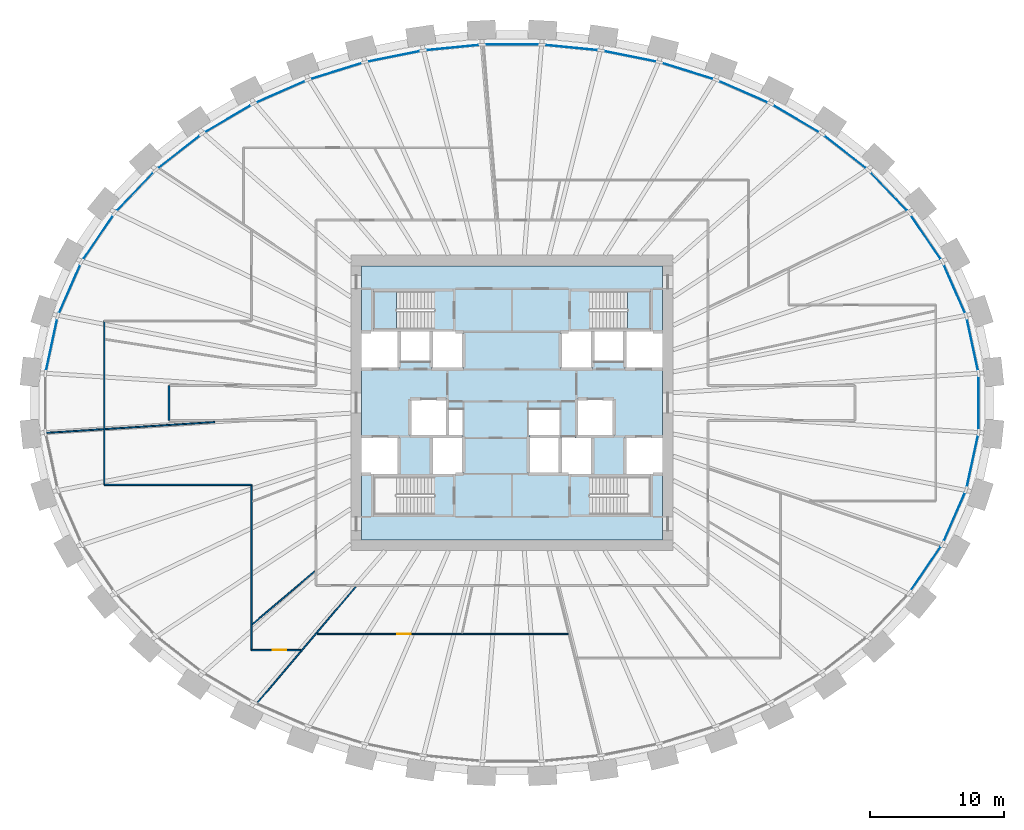
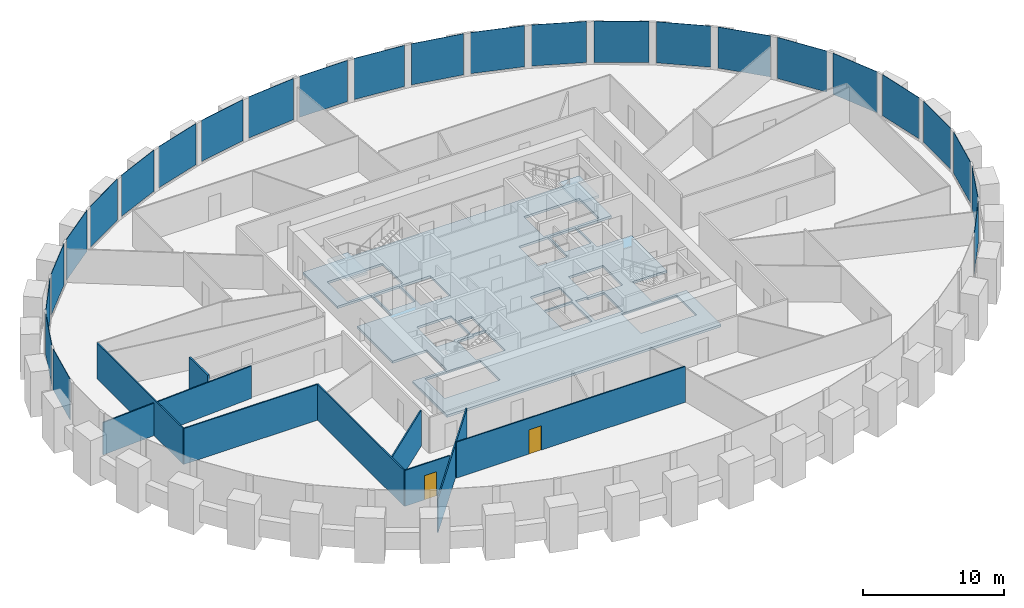
# One storey, part 5 of 11: 25 plates, 9 walls, 3 slabs, 2 doors, 2 openings, 3 elements without a shape of their own.
"""IFC4 building model written with IfcOpenShell, lengths in metres."""

import ifcopenshell
import ifcopenshell.guid

model = None  # the IFC model being written
_history = None  # IfcOwnerHistory: only IFC2X3 demands one
_inside = {}  # id of a spatial element -> (the spatial element, [elements in it])
_under = {}  # id of a project, library or spatial element -> (it, [spatial elements below it])
_declared = {}  # id of a project -> (the project, [libraries it declares])
_typed = {}  # id of a type object -> (the type object, [elements of that type])
_made_of = {}  # id of a material, layer set ... -> (it, [elements and type objects made of it])


def new_model(schema):
    """Start an empty IFC model of exactly this schema.

    Asked for "IFC4X3", IfcOpenShell would pick the latest addendum, in which some entities
    have other attributes; the version numbers below select the first issue.
    IFC2X3 requires an IfcOwnerHistory on every rooted entity: one is made here for all.
    """
    global model, _history
    if schema == "IFC4X3":
        model = ifcopenshell.file(schema_version=(4, 3, 0, 0))
    else:
        model = ifcopenshell.file(schema=schema)
    _inside.clear()
    _under.clear()
    _declared.clear()
    _typed.clear()
    _made_of.clear()
    _history = None
    if model.schema == "IFC2X3":
        org = make("IfcOrganization", Name="unknown")
        user = make(
            "IfcPersonAndOrganization",
            ThePerson=make("IfcPerson", FamilyName="unknown"),
            TheOrganization=org,
        )
        app = make(
            "IfcApplication",
            ApplicationDeveloper=org,
            Version="unknown",
            ApplicationFullName="unknown",
            ApplicationIdentifier="unknown",
        )
        _history = make(
            "IfcOwnerHistory",
            OwningUser=user,
            OwningApplication=app,
            ChangeAction="ADDED",
            CreationDate=0,
        )
    return model


def make(cls, **values):
    """One entity of the class cls with the attributes given. An attribute that is None is left unset."""
    return model.create_entity(
        cls, **{name: value for name, value in values.items() if value is not None}
    )


def rooted(cls, **values):
    """An entity with a GlobalId (a new one), such as an element, a storey or a relation."""
    return make(cls, GlobalId=ifcopenshell.guid.new(), OwnerHistory=_history, **values)


def si_unit(unit_type, name, prefix=None):
    """IfcSIUnit, for example si_unit("LENGTHUNIT", "METRE", prefix="MILLI")."""
    return make("IfcSIUnit", UnitType=unit_type, Prefix=prefix, Name=name)


def assignment(units):
    """IfcUnitAssignment: the units of a project."""
    return None if units is None else make("IfcUnitAssignment", Units=units)


def point(xyz):
    """IfcCartesianPoint."""
    return None if xyz is None else make("IfcCartesianPoint", Coordinates=xyz)


def direction(xyz):
    """IfcDirection."""
    return None if xyz is None else make("IfcDirection", DirectionRatios=xyz)


def frame(location, z_axis=None, x_axis=None):
    """IfcAxis2Placement3D, a coordinate frame: its origin and axes. An axis left out is left unset."""
    return make(
        "IfcAxis2Placement3D",
        Location=point(location),
        Axis=direction(z_axis),
        RefDirection=direction(x_axis),
    )


def frame_2d(location, x_axis=None):
    """IfcAxis2Placement2D, a coordinate frame in the plane: its origin and x axis."""
    return make(
        "IfcAxis2Placement2D", Location=point(location), RefDirection=direction(x_axis)
    )


def origin():
    """The frame at (0, 0, 0) with its axes left unset."""
    return frame((0.0, 0.0, 0.0))


def origin_2d():
    """The frame at (0, 0) in the plane with its x axis left unset."""
    return frame_2d((0.0, 0.0))


def place(relative_to, where):
    """IfcLocalPlacement: puts the frame where relative to a parent placement (None: the world)."""
    return make(
        "IfcLocalPlacement", PlacementRelTo=relative_to, RelativePlacement=where
    )


def context(
    kind, dimensions, precision=None, world=None, true_north=None, identifier=None
):
    """IfcGeometricRepresentationContext, for example the 3D "Model" context."""
    return make(
        "IfcGeometricRepresentationContext",
        ContextIdentifier=identifier,
        ContextType=kind,
        CoordinateSpaceDimension=dimensions,
        Precision=precision,
        WorldCoordinateSystem=world,
        TrueNorth=true_north,
    )


def subcontext(parent, identifier, kind, view, scale=None):
    """IfcGeometricRepresentationSubContext, for example "Body" below "Model"."""
    return make(
        "IfcGeometricRepresentationSubContext",
        ContextIdentifier=identifier,
        ContextType=kind,
        ParentContext=parent,
        TargetScale=scale,
        TargetView=view,
    )


def project(units=None, contexts=None):
    """IfcProject with its units and contexts."""
    return rooted(
        "IfcProject",
        Name="project",
        RepresentationContexts=contexts,
        UnitsInContext=assignment(units),
    )


def spatial(cls, under=None, at=None, **own):
    """A site, building, storey or space (cls), placed at a placement, below another one or the project."""
    s = rooted(cls, ObjectPlacement=at, **own)
    if under is not None:
        _under.setdefault(under.id(), (under, []))[1].append(s)
    return s


def polyline(points):
    """IfcPolyline through the points."""
    return make("IfcPolyline", Points=[point(p) for p in points])


def profile(cls, at=None, kind="AREA", **sizes):
    """A parametric profile (cls). Its sizes go by their IFC names, for example OverallWidth=200.0."""
    return make(cls, ProfileType=kind, Position=at, **sizes)


def rectangle(**sizes):
    """IfcRectangleProfileDef."""
    return profile("IfcRectangleProfileDef", **sizes)


def outline(outer, holes=None, kind="AREA"):
    """IfcArbitraryClosedProfileDef: a profile drawn as a closed curve; with holes, ...WithVoids."""
    if holes is None:
        return make("IfcArbitraryClosedProfileDef", ProfileType=kind, OuterCurve=outer)
    return make(
        "IfcArbitraryProfileDefWithVoids",
        ProfileType=kind,
        OuterCurve=outer,
        InnerCurves=holes,
    )


def extrude(swept, where, along, depth):
    """IfcExtrudedAreaSolid: the profile swept, set in the frame where, extruded along a direction by depth."""
    return make(
        "IfcExtrudedAreaSolid",
        SweptArea=swept,
        Position=where,
        ExtrudedDirection=direction(along),
        Depth=depth,
    )


def shape(context_of_items, identifier, shape_type, items):
    """IfcShapeRepresentation: the items that make up one representation, for example the "Body"."""
    return make(
        "IfcShapeRepresentation",
        ContextOfItems=context_of_items,
        RepresentationIdentifier=identifier,
        RepresentationType=shape_type,
        Items=items,
    )


def source(mapping_origin, context_of_items, identifier, shape_type, items):
    """IfcRepresentationMap: a shape defined once, which mapped items show again and again."""
    return make(
        "IfcRepresentationMap",
        MappingOrigin=mapping_origin,
        MappedRepresentation=shape(context_of_items, identifier, shape_type, items),
    )


def transform(
    local_origin,
    x_axis=None,
    y_axis=None,
    z_axis=None,
    scale=None,
    scale2=None,
    scale3=None,
    uniform=True,
):
    """IfcCartesianTransformationOperator3D, or its non-uniform kind. x_axis, y_axis, z_axis: its Axis1, 2, 3."""
    if uniform:
        return make(
            "IfcCartesianTransformationOperator3D",
            Axis1=direction(x_axis),
            Axis2=direction(y_axis),
            LocalOrigin=point(local_origin),
            Scale=scale,
            Axis3=direction(z_axis),
        )
    return make(
        "IfcCartesianTransformationOperator3DnonUniform",
        Axis1=direction(x_axis),
        Axis2=direction(y_axis),
        LocalOrigin=point(local_origin),
        Scale=scale,
        Axis3=direction(z_axis),
        Scale2=scale2,
        Scale3=scale3,
    )


def mapped(mapping_source, mapping_target):
    """IfcMappedItem: shows the shape of a source again, moved by a transform."""
    return make(
        "IfcMappedItem", MappingSource=mapping_source, MappingTarget=mapping_target
    )


def material(Name=None, Category=None):
    """IfcMaterial."""
    return make("IfcMaterial", Name=Name, Category=Category)


def layer(
    of_material, thickness, ventilated=None, Name=None, Category=None, Priority=None
):
    """IfcMaterialLayer: one layer of a wall or slab, of a material (None: an air gap)."""
    return make(
        "IfcMaterialLayer",
        Material=of_material,
        LayerThickness=thickness,
        IsVentilated=ventilated,
        Name=Name,
        Category=Category,
        Priority=Priority,
    )


def layer_set(layers, Name=None):
    """IfcMaterialLayerSet."""
    return make("IfcMaterialLayerSet", MaterialLayers=layers, LayerSetName=Name)


def made_of(thing, what):
    """Note that an element or type object is made of a material, layer set ...; save() writes the relation."""
    if what is not None:
        _made_of.setdefault(what.id(), (what, []))[1].append(thing)
    return thing


def type_object(cls, material=None, **own):
    """A type object (cls), such as IfcWallType, which elements share."""
    return made_of(rooted(cls, **own), material)


def element(
    cls,
    number,
    at=None,
    inside=None,
    cuts=None,
    type_object=None,
    material=None,
    context=None,
    identifier="Body",
    shape_type=None,
    held_by="IfcProductDefinitionShape",
    body=None,
    shapes=None,
    **own,
):
    """One element of the class cls, such as IfcWall. Its Tag is "e" and its number.

    at: its placement. inside: the storey or other place that contains it. cuts: it is an
    opening in that element (IfcRelVoidsElement). A single representation is given by context,
    identifier, shape_type and body (its items); several are given by shapes. held_by: the class
    of the entity that holds the representations. save() writes the other relations.
    """
    e = rooted(cls, Tag="e%d" % number, ObjectPlacement=at, **own)
    if body is not None:
        shapes = [shape(context, identifier, shape_type, body)]
    if shapes is not None:
        e.Representation = make(held_by, Representations=shapes)
    if inside is not None:
        _inside.setdefault(inside.id(), (inside, []))[1].append(e)
    if cuts is not None:
        rooted(
            "IfcRelVoidsElement", RelatingBuildingElement=cuts, RelatedOpeningElement=e
        )
    if type_object is not None:
        _typed.setdefault(type_object.id(), (type_object, []))[1].append(e)
    return made_of(e, material)


def fill(opening, filler):
    """IfcRelFillsElement: the door or window that sits in an opening."""
    return rooted(
        "IfcRelFillsElement",
        RelatingOpeningElement=opening,
        RelatedBuildingElement=filler,
    )


def aggregate(whole, parts):
    """IfcRelAggregates: a whole, such as a stair, and the parts it consists of."""
    return rooted("IfcRelAggregates", RelatingObject=whole, RelatedObjects=parts)


def save(model, path):
    """Write the relations noted so far, then the file.

    IfcRelAggregates (storeys below a building ...), IfcRelContainedInSpatialStructure (elements
    in a storey), IfcRelDefinesByType, IfcRelAssociatesMaterial and IfcRelDeclares: one each for
    every whole, place, type object, material and project.
    """
    for whole, parts in _under.values():
        aggregate(whole, parts)
    for where, things in _inside.values():
        rooted(
            "IfcRelContainedInSpatialStructure",
            RelatedElements=things,
            RelatingStructure=where,
        )
    for kind, things in _typed.values():
        rooted("IfcRelDefinesByType", RelatedObjects=things, RelatingType=kind)
    for what, things in _made_of.values():
        rooted("IfcRelAssociatesMaterial", RelatedObjects=things, RelatingMaterial=what)
    for by, libraries in _declared.values():
        rooted("IfcRelDeclares", RelatingContext=by, RelatedDefinitions=libraries)
    model.write(path)


model = new_model("IFC4")

# Units and contexts
model_context = context("Model", 3, precision=1e-05, world=origin(), true_north=direction((0.0, 1.0)))
body_context = subcontext(model_context, "Body", "Model", "MODEL_VIEW")
ifc_project = project(units=[si_unit("LENGTHUNIT", "METRE"), si_unit("AREAUNIT", "SQUARE_METRE"), si_unit("VOLUMEUNIT", "CUBIC_METRE"), si_unit("PLANEANGLEUNIT", "RADIAN"), si_unit("MASSUNIT", "GRAM", prefix="KILO")], contexts=[model_context])

# Site, building, storey
site_placement = place(None, origin())
site = spatial("IfcSite", under=ifc_project, at=site_placement, CompositionType="ELEMENT")
building_placement = place(site_placement, origin())
building = spatial("IfcBuilding", under=site, at=building_placement, Name="Embergate Tower", CompositionType="ELEMENT")
storey_placement = place(building_placement, frame((0.0, 0.0, 203.39990234375)))
storey = spatial("IfcBuildingStorey", under=building, at=storey_placement, Name="L46", CompositionType="ELEMENT", Elevation=203.39990234375)

# Curtain wall, plates
ifc_material_1 = material(Name="Aluminium and glass", Category="aluminium")
curtain_wall_type = type_object("IfcCurtainWallType", Name="Recessed office glazing", PredefinedType="NOTDEFINED", material=ifc_material_1)
curtain_wall_placement = place(storey_placement, origin())
curtain_wall = element("IfcCurtainWall", 1, at=curtain_wall_placement, inside=storey, type_object=curtain_wall_type, Name="Recessed office glazing ring", ObjectType="RECESSED OFFICE GLAZING", PredefinedType="USERDEFINED")
ifc_material_2 = material(Name="Triple glazing, low-emissivity coating", Category="glass")
ifc_layer_1 = layer(ifc_material_2, 0.035888671875)
ifc_layer_set_1 = layer_set([ifc_layer_1], Name="Triple glazing, low-emissivity coating")
plate_type = type_object("IfcPlateType", Name="Office glazing unit", PredefinedType="CURTAIN_PANEL", material=ifc_layer_set_1)
shared_shape_1 = source(origin(), body_context, "Body", "SweptSolid", [
    extrude(rectangle(XDim=3.86181640625, YDim=0.035888671875, at=origin_2d()), origin(), (0.0, 0.0, 1.0), 3.550048828125),
])
plate_1_placement = place(storey_placement, frame((34.273681640625, 4.331298828125, 0.14990234375), z_axis=(0.0, 0.0, 1.0), x_axis=(-0.21039327239, 0.97761683237, 0.0)))
plate_1 = element("IfcPlate", 2, at=plate_1_placement, type_object=plate_type, Name="CW panel 1.1", PredefinedType="CURTAIN_PANEL", context=body_context, shape_type="MappedRepresentation", body=[
    mapped(shared_shape_1, transform((0.0, 0.0, 0.0))),
])
plate_2_placement = place(storey_placement, frame((-34.273681640625, 4.331298828125, 0.14990234375), z_axis=(0.0, 0.0, 1.0), x_axis=(-0.21039327239, -0.97761683237, 0.0)))
plate_2 = element("IfcPlate", 3, at=plate_2_placement, type_object=plate_type, Name="CW panel 21.1", PredefinedType="CURTAIN_PANEL", context=body_context, shape_type="MappedRepresentation", body=[
    mapped(shared_shape_1, transform((0.0, 0.0, 0.0))),
])
plate_3_placement = place(storey_placement, frame((34.273681640625, -4.331298828125, 0.14990234375), z_axis=(0.0, 0.0, 1.0), x_axis=(0.21039327239, 0.97761683237, 0.0)))
plate_3 = element("IfcPlate", 4, at=plate_3_placement, type_object=plate_type, Name="CW panel 43.1", PredefinedType="CURTAIN_PANEL", context=body_context, shape_type="MappedRepresentation", body=[
    mapped(shared_shape_1, transform((0.0, 0.0, 0.0))),
])
shared_shape_2 = source(origin(), body_context, "Body", "SweptSolid", [
    extrude(rectangle(XDim=3.86865234375, YDim=0.035888671875, at=origin_2d()), origin(), (0.0, 0.0, 1.0), 3.550048828125),
])
plate_4_placement = place(storey_placement, frame((32.931396484375, 8.48291015625, 0.14990234375), z_axis=(0.0, 0.0, 1.0), x_axis=(-0.401644109346, 0.915795833921, 0.0)))
plate_4 = element("IfcPlate", 5, at=plate_4_placement, type_object=plate_type, Name="CW panel 2.1", PredefinedType="CURTAIN_PANEL", context=body_context, shape_type="MappedRepresentation", body=[
    mapped(shared_shape_2, transform((0.0, 0.0, 0.0))),
])
plate_5_placement = place(storey_placement, frame((-32.931396484375, 8.48291015625, 0.14990234375), z_axis=(0.0, 0.0, 1.0), x_axis=(-0.401644109346, -0.915795833921, 0.0)))
plate_5 = element("IfcPlate", 6, at=plate_5_placement, type_object=plate_type, Name="CW panel 20.1", PredefinedType="CURTAIN_PANEL", context=body_context, shape_type="MappedRepresentation", body=[
    mapped(shared_shape_2, transform((0.0, 0.0, 0.0))),
])
plate_6_placement = place(storey_placement, frame((32.931396484375, -8.48291015625, 0.14990234375), z_axis=(0.0, 0.0, 1.0), x_axis=(0.401644109346, 0.915795833921, 0.0)))
plate_6 = element("IfcPlate", 7, at=plate_6_placement, type_object=plate_type, Name="CW panel 42.1", PredefinedType="CURTAIN_PANEL", context=body_context, shape_type="MappedRepresentation", body=[
    mapped(shared_shape_2, transform((0.0, 0.0, 0.0))),
])
shared_shape_3 = source(origin(), body_context, "Body", "SweptSolid", [
    extrude(rectangle(XDim=3.87744140625, YDim=0.035888671875, at=origin_2d()), origin(), (0.0, 0.0, 1.0), 3.550048828125),
])
plate_7_placement = place(storey_placement, frame((30.813720703125, 12.310546875, 0.14990234375), z_axis=(0.0, 0.0, 1.0), x_axis=(-0.562331639324, 0.826911801473, 0.0)))
plate_7 = element("IfcPlate", 8, at=plate_7_placement, type_object=plate_type, Name="CW panel 3.1", PredefinedType="CURTAIN_PANEL", context=body_context, shape_type="MappedRepresentation", body=[
    mapped(shared_shape_3, transform((0.0, 0.0, 0.0))),
])
plate_8_placement = place(storey_placement, frame((-30.813720703125, 12.310546875, 0.14990234375), z_axis=(0.0, 0.0, 1.0), x_axis=(-0.562331639324, -0.826911801473, 0.0)))
plate_8 = element("IfcPlate", 9, at=plate_8_placement, type_object=plate_type, Name="CW panel 19.1", PredefinedType="CURTAIN_PANEL", context=body_context, shape_type="MappedRepresentation", body=[
    mapped(shared_shape_3, transform((0.0, 0.0, 0.0))),
])
plate_9_placement = place(storey_placement, frame((30.813720703125, -12.310546875, 0.14990234375), z_axis=(0.0, 0.0, 1.0), x_axis=(0.562331639324, 0.826911801473, 0.0)))
plate_9 = element("IfcPlate", 10, at=plate_9_placement, type_object=plate_type, Name="CW panel 41.1", PredefinedType="CURTAIN_PANEL", context=body_context, shape_type="MappedRepresentation", body=[
    mapped(shared_shape_3, transform((0.0, 0.0, 0.0))),
])
shared_shape_4 = source(origin(), body_context, "Body", "SweptSolid", [
    extrude(rectangle(XDim=3.885986328125, YDim=0.035888671875, at=origin_2d()), origin(), (0.0, 0.0, 1.0), 3.550048828125),
])
plate_10_placement = place(storey_placement, frame((28.056884765625, 15.722900390625, 0.14990234375), z_axis=(0.0, 0.0, 1.0), x_axis=(-0.690123679893, 0.723691444229, 0.0)))
plate_10 = element("IfcPlate", 11, at=plate_10_placement, type_object=plate_type, Name="CW panel 4.1", PredefinedType="CURTAIN_PANEL", context=body_context, shape_type="MappedRepresentation", body=[
    mapped(shared_shape_4, transform((0.0, 0.0, 0.0))),
])
plate_11_placement = place(storey_placement, frame((-28.056884765625, 15.722900390625, 0.14990234375), z_axis=(0.0, 0.0, 1.0), x_axis=(-0.690123679893, -0.723691444229, 0.0)))
plate_11 = element("IfcPlate", 12, at=plate_11_placement, type_object=plate_type, Name="CW panel 18.1", PredefinedType="CURTAIN_PANEL", context=body_context, shape_type="MappedRepresentation", body=[
    mapped(shared_shape_4, transform((0.0, 0.0, 0.0))),
])
shared_shape_5 = source(origin(), body_context, "Body", "SweptSolid", [
    extrude(rectangle(XDim=3.893310546875, YDim=0.035888671875, at=origin_2d()), origin(), (0.0, 0.0, 1.0), 3.550048828125),
])
plate_12_placement = place(storey_placement, frame((24.797119140625, 18.675048828125, 0.14990234375), z_axis=(0.0, 0.0, 1.0), x_axis=(-0.788311528453, 0.615276307123, 0.0)))
plate_12 = element("IfcPlate", 13, at=plate_12_placement, type_object=plate_type, Name="CW panel 5.1", PredefinedType="CURTAIN_PANEL", context=body_context, shape_type="MappedRepresentation", body=[
    mapped(shared_shape_5, transform((0.0, 0.0, 0.0))),
])
plate_13_placement = place(storey_placement, frame((-24.797119140625, 18.675048828125, 0.14990234375), z_axis=(0.0, 0.0, 1.0), x_axis=(-0.788311528453, -0.615276307123, 0.0)))
plate_13 = element("IfcPlate", 14, at=plate_13_placement, type_object=plate_type, Name="CW panel 17.1", PredefinedType="CURTAIN_PANEL", context=body_context, shape_type="MappedRepresentation", body=[
    mapped(shared_shape_5, transform((0.0, 0.0, 0.0))),
])
shared_shape_6 = source(origin(), body_context, "Body", "SweptSolid", [
    extrude(rectangle(XDim=3.8994140625, YDim=0.035888671875, at=origin_2d()), origin(), (0.0, 0.0, 1.0), 3.550048828125),
])
plate_14_placement = place(storey_placement, frame((21.152587890625, 21.152587890625, 0.14990234375), z_axis=(0.0, 0.0, 1.0), x_axis=(-0.862046091215, 0.506829889234, 0.0)))
plate_14 = element("IfcPlate", 15, at=plate_14_placement, type_object=plate_type, Name="CW panel 6.1", PredefinedType="CURTAIN_PANEL", context=body_context, shape_type="MappedRepresentation", body=[
    mapped(shared_shape_6, transform((0.0, 0.0, 0.0))),
])
plate_15_placement = place(storey_placement, frame((-21.152587890625, 21.152587890625, 0.14990234375), z_axis=(0.0, 0.0, 1.0), x_axis=(-0.862046091215, -0.506829889234, 0.0)))
plate_15 = element("IfcPlate", 16, at=plate_15_placement, type_object=plate_type, Name="CW panel 16.1", PredefinedType="CURTAIN_PANEL", context=body_context, shape_type="MappedRepresentation", body=[
    mapped(shared_shape_6, transform((0.0, 0.0, 0.0))),
])
shared_shape_7 = source(origin(), body_context, "Body", "SweptSolid", [
    extrude(rectangle(XDim=3.90380859375, YDim=0.035888671875, at=origin_2d()), origin(), (0.0, 0.0, 1.0), 3.550048828125),
])
plate_16_placement = place(storey_placement, frame((17.22119140625, 23.158935546875, 0.14990234375), z_axis=(0.0, 0.0, 1.0), x_axis=(-0.91623131695, 0.400649689679, 0.0)))
plate_16 = element("IfcPlate", 17, at=plate_16_placement, type_object=plate_type, Name="CW panel 7.1", PredefinedType="CURTAIN_PANEL", context=body_context, shape_type="MappedRepresentation", body=[
    mapped(shared_shape_7, transform((0.0, 0.0, 0.0))),
])
plate_17_placement = place(storey_placement, frame((-17.22119140625, 23.158935546875, 0.14990234375), z_axis=(0.0, 0.0, 1.0), x_axis=(-0.91623131695, -0.400649689679, 0.0)))
plate_17 = element("IfcPlate", 18, at=plate_17_placement, type_object=plate_type, Name="CW panel 15.1", PredefinedType="CURTAIN_PANEL", context=body_context, shape_type="MappedRepresentation", body=[
    mapped(shared_shape_7, transform((0.0, 0.0, 0.0))),
])
shared_shape_8 = source(origin(), body_context, "Body", "SweptSolid", [
    extrude(rectangle(XDim=3.906982421875, YDim=0.035888671875, at=origin_2d()), origin(), (0.0, 0.0, 1.0), 3.550048828125),
])
plate_18_placement = place(storey_placement, frame((13.0810546875, 24.703369140625, 0.14990234375), z_axis=(0.0, 0.0, 1.0), x_axis=(-0.954769622373, 0.297346545624, 0.0)))
plate_18 = element("IfcPlate", 19, at=plate_18_placement, type_object=plate_type, Name="CW panel 8.1", PredefinedType="CURTAIN_PANEL", context=body_context, shape_type="MappedRepresentation", body=[
    mapped(shared_shape_8, transform((0.0, 0.0, 0.0))),
])
plate_19_placement = place(storey_placement, frame((-13.0810546875, 24.703369140625, 0.14990234375), z_axis=(0.0, 0.0, 1.0), x_axis=(-0.954769622373, -0.297346545624, 0.0)))
plate_19 = element("IfcPlate", 20, at=plate_19_placement, type_object=plate_type, Name="CW panel 14.1", PredefinedType="CURTAIN_PANEL", context=body_context, shape_type="MappedRepresentation", body=[
    mapped(shared_shape_8, transform((0.0, 0.0, 0.0))),
])
shared_shape_9 = source(origin(), body_context, "Body", "SweptSolid", [
    extrude(rectangle(XDim=3.9091796875, YDim=0.035888671875, at=origin_2d()), origin(), (0.0, 0.0, 1.0), 3.550048828125),
])
plate_20_placement = place(storey_placement, frame((8.796142578125, 25.797119140625, 0.14990234375), z_axis=(0.0, 0.0, 1.0), x_axis=(-0.980474534584, 0.196646095898, 0.0)))
plate_20 = element("IfcPlate", 21, at=plate_20_placement, type_object=plate_type, Name="CW panel 9.1", PredefinedType="CURTAIN_PANEL", context=body_context, shape_type="MappedRepresentation", body=[
    mapped(shared_shape_9, transform((0.0, 0.0, 0.0))),
])
plate_21_placement = place(storey_placement, frame((-8.796142578125, 25.797119140625, 0.14990234375), z_axis=(0.0, 0.0, 1.0), x_axis=(-0.980474534584, -0.196646095898, 0.0)))
plate_21 = element("IfcPlate", 22, at=plate_21_placement, type_object=plate_type, Name="CW panel 13.1", PredefinedType="CURTAIN_PANEL", context=body_context, shape_type="MappedRepresentation", body=[
    mapped(shared_shape_9, transform((0.0, 0.0, 0.0))),
])
shared_shape_10 = source(origin(), body_context, "Body", "SweptSolid", [
    extrude(rectangle(XDim=3.91064453125, YDim=0.035888671875, at=origin_2d()), origin(), (0.0, 0.0, 1.0), 3.550048828125),
])
plate_22_placement = place(storey_placement, frame((4.420166015625, 26.44921875, 0.14990234375), z_axis=(0.0, 0.0, 1.0), x_axis=(-0.995202843292, 0.097833024602, 0.0)))
plate_22 = element("IfcPlate", 23, at=plate_22_placement, type_object=plate_type, Name="CW panel 10.1", PredefinedType="CURTAIN_PANEL", context=body_context, shape_type="MappedRepresentation", body=[
    mapped(shared_shape_10, transform((0.0, 0.0, 0.0))),
])
plate_23_placement = place(storey_placement, frame((-4.420166015625, 26.44921875, 0.14990234375), z_axis=(0.0, 0.0, 1.0), x_axis=(-0.995202843292, -0.097833024602, 0.0)))
plate_23 = element("IfcPlate", 24, at=plate_23_placement, type_object=plate_type, Name="CW panel 12.1", PredefinedType="CURTAIN_PANEL", context=body_context, shape_type="MappedRepresentation", body=[
    mapped(shared_shape_10, transform((0.0, 0.0, 0.0))),
])
shared_shape_11 = source(origin(), body_context, "Body", "SweptSolid", [
    extrude(rectangle(XDim=3.910888671875, YDim=0.035888671875, at=origin_2d()), origin(), (0.0, 0.0, 1.0), 3.550048828125),
])
plate_24_placement = place(storey_placement, frame((0.0, 26.666015625, 0.14990234375), z_axis=(0.0, 0.0, 1.0), x_axis=(-1.0, 0.0, 0.0)))
plate_24 = element("IfcPlate", 25, at=plate_24_placement, type_object=plate_type, Name="CW panel 11.1", PredefinedType="CURTAIN_PANEL", context=body_context, shape_type="MappedRepresentation", body=[
    mapped(shared_shape_11, transform((0.0, 0.0, 0.0))),
])
shared_shape_12 = source(origin(), body_context, "Body", "SweptSolid", [
    extrude(rectangle(XDim=3.859130859375, YDim=0.035888671875, at=origin_2d()), origin(), (0.0, 0.0, 1.0), 3.550048828125),
])
plate_25_placement = place(storey_placement, frame((34.734619140625, 0.0, 0.14990234375), z_axis=(0.0, 0.0, 1.0), x_axis=(0.0, 1.0, 0.0)))
plate_25 = element("IfcPlate", 26, at=plate_25_placement, type_object=plate_type, Name="CW panel 44.1", PredefinedType="CURTAIN_PANEL", context=body_context, shape_type="MappedRepresentation", body=[
    mapped(shared_shape_12, transform((0.0, 0.0, 0.0))),
])
aggregate(curtain_wall, [plate_1, plate_4, plate_7, plate_10, plate_12, plate_14, plate_16, plate_18, plate_20, plate_22, plate_24, plate_23, plate_21, plate_19, plate_17, plate_15, plate_13, plate_11, plate_8, plate_5, plate_2, plate_9, plate_6, plate_3, plate_25])

# Stair, slab
ifc_material_3 = material(Name="Exit stair")
stair_type = type_object("IfcStairType", Name="Exit stair", PredefinedType="HALF_TURN_STAIR", material=ifc_material_3)
stair_1_placement = place(storey_placement, origin())
stair_1 = element("IfcStair", 27, at=stair_1_placement, inside=storey, type_object=stair_type, Name="L46 Exit stair 1", PredefinedType="HALF_TURN_STAIR")
ifc_material_4 = material(Name="Concrete C40", Category="concrete")
ifc_layer_2 = layer(ifc_material_4, 0.199951171875)
ifc_layer_set_2 = layer_set([ifc_layer_2], Name="Concrete C40")
slab_type_1 = type_object("IfcSlabType", Name="Stair landing reinforced concrete", PredefinedType="LANDING", material=ifc_layer_set_2)
shared_shape_13 = source(origin(), body_context, "Body", "SweptSolid", [
    extrude(outline(polyline([(0.0, 0.0), (1.68994140625, 0.0), (1.68994140625, 2.800048828125), (0.0, 2.800048828125), (0.0, 0.0)])), origin(), (0.0, 0.0, 1.0), 0.2001953125),
])
slab_1_placement = place(storey_placement, frame((-10.300048828125, 5.5, 1.75)))
slab_1 = element("IfcSlab", 28, at=slab_1_placement, type_object=slab_type_1, Name="ST1 landing 1", PredefinedType="LANDING", context=body_context, shape_type="MappedRepresentation", body=[
    mapped(shared_shape_13, transform((0.0, 0.0, 0.0))),
])
aggregate(stair_1, [slab_1])

stair_2_placement = place(storey_placement, origin())
stair_2 = element("IfcStair", 29, at=stair_2_placement, inside=storey, type_object=stair_type, Name="L46 Exit stair 2", PredefinedType="HALF_TURN_STAIR")
slab_2_placement = place(storey_placement, frame((8.610107421875, 5.5, 1.75)))
slab_2 = element("IfcSlab", 30, at=slab_2_placement, type_object=slab_type_1, Name="ST2 landing 1", PredefinedType="LANDING", context=body_context, shape_type="MappedRepresentation", body=[
    mapped(shared_shape_13, transform((0.0, 0.0, 0.0))),
])
aggregate(stair_2, [slab_2])

# Slab
ifc_layer_3 = layer(ifc_material_4, 0.199951171875)
ifc_layer_set_3 = layer_set([ifc_layer_3], Name="Concrete C40")
slab_type_2 = type_object("IfcSlabType", Name="Core floor slab 200 reinforced concrete", PredefinedType="FLOOR", material=ifc_layer_set_3)
shared_shape_14 = source(origin(), body_context, "Body", "SweptSolid", [
    extrude(outline(polyline([(0.0, 0.0), (22.39990234375, 0.0), (22.39990234375, 4.89990234375), (19.599853515625, 4.89990234375), (19.599853515625, 7.699951171875), (22.39990234375, 7.699951171875), (22.39990234375, 12.699951171875), (19.599853515625, 12.699951171875), (19.599853515625, 15.5), (22.39990234375, 15.5), (22.39990234375, 20.39990234375), (0.0, 20.39990234375), (0.0, 15.5), (2.800048828125, 15.5), (2.800048828125, 12.699951171875), (0.0, 12.699951171875), (0.0, 7.699951171875), (2.800048828125, 7.699951171875), (2.800048828125, 4.89990234375), (0.0, 4.89990234375), (0.0, 0.0)]), holes=[polyline([(0.89990234375, 1.89990234375), (0.89990234375, 4.699951171875), (5.43994140625, 4.699951171875), (5.43994140625, 1.89990234375), (0.89990234375, 1.89990234375)]), polyline([(16.9599609375, 1.89990234375), (16.9599609375, 4.699951171875), (21.5, 4.699951171875), (21.5, 1.89990234375), (16.9599609375, 1.89990234375)]), polyline([(5.199951171875, 4.89990234375), (5.199951171875, 7.574951171875), (6.52490234375, 7.574951171875), (6.52490234375, 7.699951171875), (7.599853515625, 7.699951171875), (7.599853515625, 4.89990234375), (5.199951171875, 4.89990234375)]), polyline([(12.39990234375, 4.89990234375), (12.39990234375, 7.699951171875), (14.675048828125, 7.699951171875), (14.675048828125, 4.89990234375), (12.39990234375, 4.89990234375)]), polyline([(14.925048828125, 4.89990234375), (14.925048828125, 7.699951171875), (15.875, 7.699951171875), (15.875, 7.574951171875), (17.199951171875, 7.574951171875), (17.199951171875, 4.89990234375), (14.925048828125, 4.89990234375)]), polyline([(3.599853515625, 7.699951171875), (3.599853515625, 10.5), (6.39990234375, 10.5), (6.39990234375, 7.824951171875), (5.074951171875, 7.824951171875), (5.074951171875, 7.699951171875), (3.599853515625, 7.699951171875)]), polyline([(17.324951171875, 7.699951171875), (17.324951171875, 7.824951171875), (16.0, 7.824951171875), (16.0, 10.5), (18.800048828125, 10.5), (18.800048828125, 7.699951171875), (17.324951171875, 7.699951171875)]), polyline([(6.52490234375, 7.824951171875), (6.52490234375, 9.699951171875), (7.599853515625, 9.699951171875), (7.599853515625, 7.824951171875), (6.52490234375, 7.824951171875)]), polyline([(12.39990234375, 7.824951171875), (12.39990234375, 9.699951171875), (14.800048828125, 9.699951171875), (14.800048828125, 7.824951171875), (14.675048828125, 7.824951171875), (12.39990234375, 7.824951171875)]), polyline([(5.199951171875, 12.699951171875), (5.199951171875, 15.5), (7.599853515625, 15.5), (7.599853515625, 12.699951171875), (5.199951171875, 12.699951171875)]), polyline([(14.800048828125, 12.699951171875), (14.800048828125, 15.5), (17.199951171875, 15.5), (17.199951171875, 12.699951171875), (14.800048828125, 12.699951171875)]), polyline([(2.925048828125, 13.300048828125), (2.925048828125, 15.5), (5.074951171875, 15.5), (5.074951171875, 13.300048828125), (2.925048828125, 13.300048828125)]), polyline([(17.324951171875, 13.300048828125), (17.324951171875, 15.5), (19.474853515625, 15.5), (19.474853515625, 13.300048828125), (17.324951171875, 13.300048828125)]), polyline([(0.89990234375, 15.699951171875), (0.89990234375, 18.5), (5.43994140625, 18.5), (5.43994140625, 15.699951171875), (0.89990234375, 15.699951171875)]), polyline([(16.9599609375, 15.699951171875), (16.9599609375, 18.5), (21.5, 18.5), (21.5, 15.699951171875), (16.9599609375, 15.699951171875)])]), origin(), (0.0, 0.0, 1.0), 0.199951171875),
])
slab_3_placement = place(storey_placement, frame((-11.199951171875, -10.199951171875, -0.199951171875)))
element("IfcSlab", 31, at=slab_3_placement, inside=storey, type_object=slab_type_2, Name="Core floor slab", PredefinedType="FLOOR", context=body_context, shape_type="MappedRepresentation", body=[
    mapped(shared_shape_14, transform((0.0, 0.0, 0.0))),
])

# Walls
ifc_material_5 = material(Name="Partition dry-lined 100")
ifc_layer_4 = layer(ifc_material_5, 0.10009765625)
ifc_layer_set_4 = layer_set([ifc_layer_4], Name="Partition dry-lined 100")
wall_type_1 = type_object("IfcWallType", Name="Partition dry-lined 100", PredefinedType="PARTITIONING", material=ifc_layer_set_4)
shared_shape_15 = source(origin(), body_context, "Body", "SweptSolid", [
    extrude(rectangle(XDim=10.9501953125, YDim=0.10009765625, at=frame_2d((5.47509765625, 0.0))), origin(), (0.0, 0.0, 1.0), 3.10009765625),
])
wall_1_placement = place(storey_placement, frame((-19.39990234375, -6.10009765625, 0.0), z_axis=(0.0, 0.0, 1.0), x_axis=(-1.0, 0.0, 0.0)))
element("IfcWall", 32, at=wall_1_placement, inside=storey, type_object=wall_type_1, Name="IP-1 wall", PredefinedType="PARTITIONING", context=body_context, shape_type="MappedRepresentation", body=[
    mapped(shared_shape_15, transform((0.0, 0.0, 0.0))),
])
ifc_material_6 = material(Name="Corridor wall dry-lined 150")
ifc_layer_5 = layer(ifc_material_6, 0.14990234375)
ifc_layer_set_5 = layer_set([ifc_layer_5], Name="Corridor wall dry-lined 150")
wall_type_2 = type_object("IfcWallType", Name="Corridor wall dry-lined 150", PredefinedType="PARTITIONING", material=ifc_layer_set_5)
shared_shape_16 = source(origin(), body_context, "Body", "SweptSolid", [
    extrude(rectangle(XDim=2.60009765625, YDim=0.14990234375, at=frame_2d((1.300048828125, 0.0))), origin(), (0.0, 0.0, 1.0), 3.10009765625),
])
wall_2_placement = place(storey_placement, frame((-25.550048828125, 1.300048828125, 0.0), z_axis=(0.0, 0.0, 1.0), x_axis=(0.0, -1.0, 0.0)))
element("IfcWall", 33, at=wall_2_placement, inside=storey, type_object=wall_type_2, Name="IP-2 wall", PredefinedType="PARTITIONING", context=body_context, shape_type="MappedRepresentation", body=[
    mapped(shared_shape_16, transform((0.0, 0.0, 0.0))),
])
shared_shape_17 = source(origin(), body_context, "Body", "SweptSolid", [
    extrude(rectangle(XDim=12.2998046875, YDim=0.10009765625, at=frame_2d((6.14990234375, 0.0))), origin(), (0.0, 0.0, 1.0), 3.10009765625),
])
wall_3_placement = place(storey_placement, frame((-19.39990234375, -18.39990234375, 0.0), z_axis=(0.0, 0.0, 1.0), x_axis=(0.0, 1.0, 0.0)))
element("IfcWall", 34, at=wall_3_placement, inside=storey, type_object=wall_type_1, Name="IP-1 wall", PredefinedType="PARTITIONING", context=body_context, shape_type="MappedRepresentation", body=[
    mapped(shared_shape_17, transform((0.0, 0.0, 0.0))),
])
shared_shape_18 = source(origin(), body_context, "Body", "SweptSolid", [
    extrude(rectangle(XDim=12.2001953125, YDim=0.10009765625, at=frame_2d((6.10009765625, 0.0))), origin(), (0.0, 0.0, 1.0), 3.10009765625),
])
wall_4_placement = place(storey_placement, frame((-30.35009765625, -6.10009765625, 0.0), z_axis=(0.0, 0.0, 1.0), x_axis=(0.0, 1.0, 0.0)))
element("IfcWall", 35, at=wall_4_placement, inside=storey, type_object=wall_type_1, Name="IP-1 wall", PredefinedType="PARTITIONING", context=body_context, shape_type="MappedRepresentation", body=[
    mapped(shared_shape_18, transform((0.0, 0.0, 0.0))),
])
shared_shape_19 = source(origin(), body_context, "Body", "SweptSolid", [
    extrude(rectangle(XDim=12.612060546875, YDim=0.10009765625, at=frame_2d((6.30615234375, 0.0))), origin(), (0.0, 0.0, 1.0), 2.800048828125),
])
wall_5_placement = place(storey_placement, frame((-22.132080078125, -1.425048828125, 0.0), z_axis=(0.0, 0.0, 1.0), x_axis=(-0.997935166731, -0.064229300186, 0.0)))
element("IfcWall", 36, at=wall_5_placement, inside=storey, type_object=wall_type_1, Name="IP-1 wall", PredefinedType="PARTITIONING", context=body_context, shape_type="MappedRepresentation", body=[
    mapped(shared_shape_19, transform((0.0, 0.0, 0.0))),
])
shared_shape_20 = source(origin(), body_context, "Body", "SweptSolid", [
    extrude(rectangle(XDim=6.06005859375, YDim=0.10009765625, at=frame_2d((3.030029296875, 0.0))), origin(), (0.0, 0.0, 1.0), 3.10009765625),
])
wall_6_placement = place(storey_placement, frame((-14.70703125, -12.544921875, 0.0), z_axis=(0.0, 0.0, 1.0), x_axis=(-0.760903567503, -0.648864978991, 0.0)))
element("IfcWall", 37, at=wall_6_placement, inside=storey, type_object=wall_type_1, Name="IP-1 wall", PredefinedType="PARTITIONING", context=body_context, shape_type="MappedRepresentation", body=[
    mapped(shared_shape_20, transform((0.0, 0.0, 0.0))),
])

# Wall, opening, door
shared_shape_21 = source(origin(), body_context, "Body", "SweptSolid", [
    extrude(rectangle(XDim=3.663818359375, YDim=0.10009765625, at=frame_2d((1.83203125, 0.0))), origin(), (0.0, 0.0, 1.0), 3.10009765625),
])
wall_7_placement = place(storey_placement, frame((-19.39990234375, -18.39990234375, 0.0), z_axis=(0.0, 0.0, 1.0), x_axis=(1.0, 0.0, 0.0)))
wall_7 = element("IfcWall", 38, at=wall_7_placement, inside=storey, type_object=wall_type_1, Name="IP-1 wall", PredefinedType="PARTITIONING", context=body_context, shape_type="MappedRepresentation", body=[
    mapped(shared_shape_21, transform((0.0, 0.0, 0.0))),
])
shared_shape_22 = source(origin(), body_context, "Body", "SweptSolid", [
    extrude(rectangle(XDim=1.0, YDim=2.10009765625, at=frame_2d((0.5, 1.050048828125))), frame((0.0, 0.06005859375, 0.0), z_axis=(0.0, -1.0, 0.0), x_axis=(1.0, 0.0, 0.0)), (0.0, 0.0, 1.0), 0.1201171875),
])
opening_1_placement = place(wall_7_placement, frame((1.58203125, 0.0, 0.0)))
opening_1 = element("IfcOpeningElement", 39, at=opening_1_placement, cuts=wall_7, Name="Opening ID-2", PredefinedType="OPENING", context=body_context, shape_type="MappedRepresentation", body=[
    mapped(shared_shape_22, transform((0.0, 0.0, 0.0))),
])
ifc_material_7 = material(Name="Interior door 1000")
door_type = type_object("IfcDoorType", Name="Interior door 1000", OperationType="SINGLE_SWING_LEFT", PredefinedType="DOOR", material=ifc_material_7)
shared_shape_23 = source(origin(), body_context, "Body", "SweptSolid", [
    extrude(rectangle(XDim=1.0, YDim=2.10009765625, at=frame_2d((0.5, 1.050048828125))), frame((0.0, 0.02490234375, 0.0), z_axis=(0.0, -1.0, 0.0), x_axis=(1.0, 0.0, 0.0)), (0.0, 0.0, 1.0), 0.050048828125),
])
door_1_placement = place(opening_1_placement, origin())
door_1 = element("IfcDoor", 40, at=door_1_placement, inside=storey, type_object=door_type, Name="ID-2 door", OperationType="SINGLE_SWING_LEFT", OverallHeight=2.10009765625, OverallWidth=1.0, PredefinedType="DOOR", context=body_context, shape_type="MappedRepresentation", body=[
    mapped(shared_shape_23, transform((0.0, 0.0, 0.0))),
])
fill(opening_1, door_1)

shared_shape_24 = source(origin(), body_context, "Body", "SweptSolid", [
    extrude(rectangle(XDim=18.7099609375, YDim=0.10009765625, at=frame_2d((9.35498046875, 0.0))), origin(), (0.0, 0.0, 1.0), 3.10009765625),
])
wall_8_placement = place(storey_placement, frame((-14.5009765625, -17.199951171875, 0.0), z_axis=(0.0, 0.0, 1.0), x_axis=(1.0, 0.0, 0.0)))
wall_8 = element("IfcWall", 41, at=wall_8_placement, inside=storey, type_object=wall_type_1, Name="IP-1 wall", PredefinedType="PARTITIONING", context=body_context, shape_type="MappedRepresentation", body=[
    mapped(shared_shape_24, transform((0.0, 0.0, 0.0))),
])
opening_2_placement = place(wall_8_placement, frame((5.945556640625, 0.0, 0.0)))
opening_2 = element("IfcOpeningElement", 42, at=opening_2_placement, cuts=wall_8, Name="Opening ID-2", PredefinedType="OPENING", context=body_context, shape_type="MappedRepresentation", body=[
    mapped(shared_shape_22, transform((0.0, 0.0, 0.0))),
])
door_2_placement = place(opening_2_placement, origin())
door_2 = element("IfcDoor", 43, at=door_2_placement, inside=storey, type_object=door_type, Name="ID-2 door", OperationType="SINGLE_SWING_RIGHT", OverallHeight=2.10009765625, OverallWidth=1.0, PredefinedType="DOOR", context=body_context, shape_type="MappedRepresentation", body=[
    mapped(shared_shape_23, transform((0.0, 0.0, 0.0))),
])
fill(opening_2, door_2)

# Wall
shared_shape_25 = source(origin(), body_context, "Body", "SweptSolid", [
    extrude(rectangle(XDim=11.376708984375, YDim=0.10009765625, at=frame_2d((5.6884765625, 0.0))), origin(), (0.0, 0.0, 1.0), 2.900146484375),
])
wall_9_placement = place(storey_placement, frame((-19.007080078125, -22.3779296875, 0.0), z_axis=(0.0, 0.0, 1.0), x_axis=(0.64737927506, 0.762168009183, 0.0)))
element("IfcWall", 44, at=wall_9_placement, inside=storey, type_object=wall_type_1, Name="IP-1 wall", PredefinedType="PARTITIONING", context=body_context, shape_type="MappedRepresentation", body=[
    mapped(shared_shape_25, transform((0.0, 0.0, 0.0))),
])

save(model, "model.ifc")
